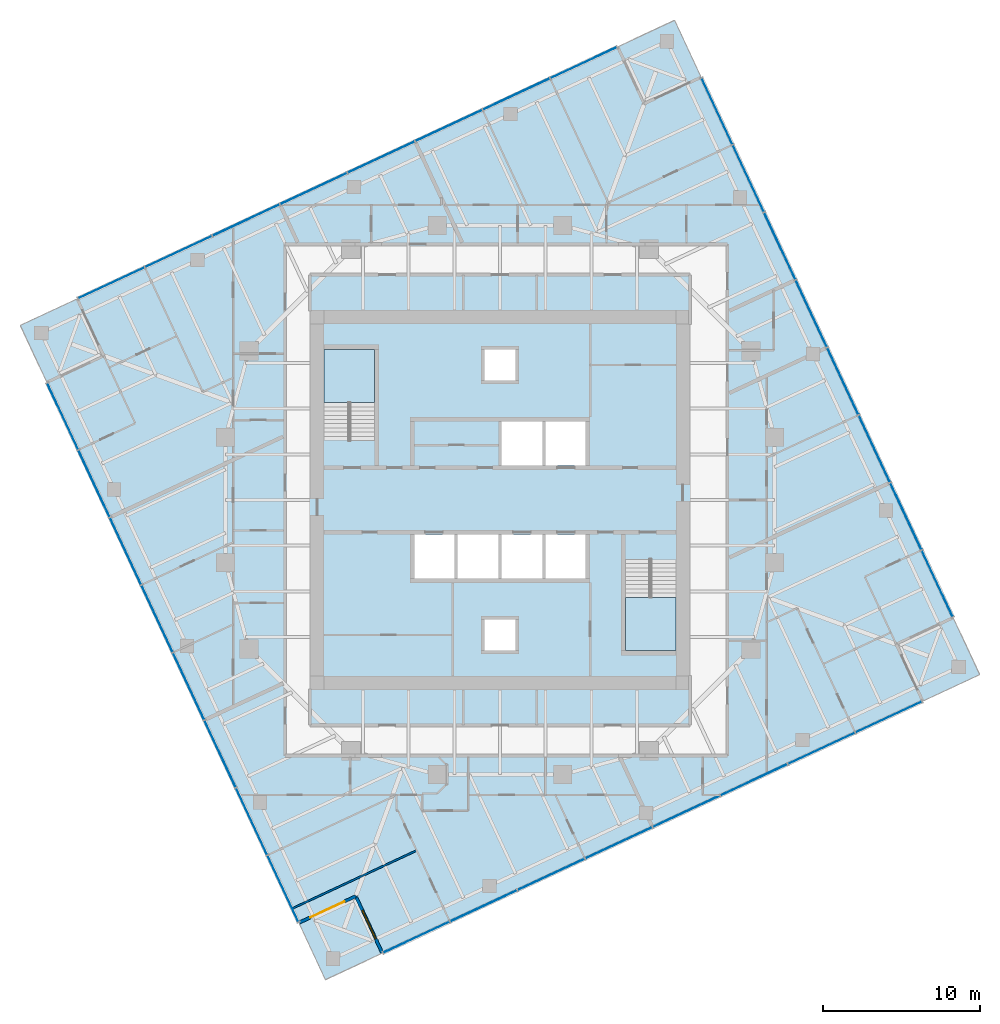
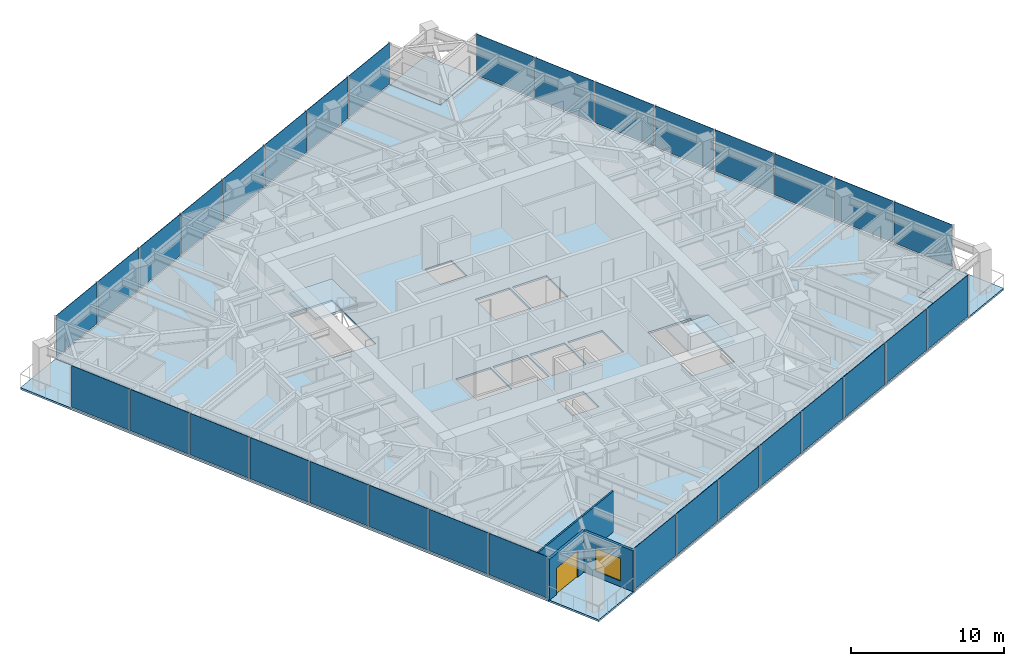
# One storey, part 6 of 13: 32 plates, 7 slabs, 3 walls, 1 door, 1 window, 2 openings, 6 elements without a shape of their own.
"""IFC4 building model written with IfcOpenShell, lengths in metres."""

import ifcopenshell
import ifcopenshell.guid

model = None  # the IFC model being written
_history = None  # IfcOwnerHistory: only IFC2X3 demands one
_inside = {}  # id of a spatial element -> (the spatial element, [elements in it])
_under = {}  # id of a project, library or spatial element -> (it, [spatial elements below it])
_declared = {}  # id of a project -> (the project, [libraries it declares])
_typed = {}  # id of a type object -> (the type object, [elements of that type])
_made_of = {}  # id of a material, layer set ... -> (it, [elements and type objects made of it])


def new_model(schema):
    """Start an empty IFC model of exactly this schema.

    Asked for "IFC4X3", IfcOpenShell would pick the latest addendum, in which some entities
    have other attributes; the version numbers below select the first issue.
    IFC2X3 requires an IfcOwnerHistory on every rooted entity: one is made here for all.
    """
    global model, _history
    if schema == "IFC4X3":
        model = ifcopenshell.file(schema_version=(4, 3, 0, 0))
    else:
        model = ifcopenshell.file(schema=schema)
    _inside.clear()
    _under.clear()
    _declared.clear()
    _typed.clear()
    _made_of.clear()
    _history = None
    if model.schema == "IFC2X3":
        org = make("IfcOrganization", Name="unknown")
        user = make(
            "IfcPersonAndOrganization",
            ThePerson=make("IfcPerson", FamilyName="unknown"),
            TheOrganization=org,
        )
        app = make(
            "IfcApplication",
            ApplicationDeveloper=org,
            Version="unknown",
            ApplicationFullName="unknown",
            ApplicationIdentifier="unknown",
        )
        _history = make(
            "IfcOwnerHistory",
            OwningUser=user,
            OwningApplication=app,
            ChangeAction="ADDED",
            CreationDate=0,
        )
    return model


def make(cls, **values):
    """One entity of the class cls with the attributes given. An attribute that is None is left unset."""
    return model.create_entity(
        cls, **{name: value for name, value in values.items() if value is not None}
    )


def rooted(cls, **values):
    """An entity with a GlobalId (a new one), such as an element, a storey or a relation."""
    return make(cls, GlobalId=ifcopenshell.guid.new(), OwnerHistory=_history, **values)


def si_unit(unit_type, name, prefix=None):
    """IfcSIUnit, for example si_unit("LENGTHUNIT", "METRE", prefix="MILLI")."""
    return make("IfcSIUnit", UnitType=unit_type, Prefix=prefix, Name=name)


def assignment(units):
    """IfcUnitAssignment: the units of a project."""
    return None if units is None else make("IfcUnitAssignment", Units=units)


def point(xyz):
    """IfcCartesianPoint."""
    return None if xyz is None else make("IfcCartesianPoint", Coordinates=xyz)


def direction(xyz):
    """IfcDirection."""
    return None if xyz is None else make("IfcDirection", DirectionRatios=xyz)


def frame(location, z_axis=None, x_axis=None):
    """IfcAxis2Placement3D, a coordinate frame: its origin and axes. An axis left out is left unset."""
    return make(
        "IfcAxis2Placement3D",
        Location=point(location),
        Axis=direction(z_axis),
        RefDirection=direction(x_axis),
    )


def frame_2d(location, x_axis=None):
    """IfcAxis2Placement2D, a coordinate frame in the plane: its origin and x axis."""
    return make(
        "IfcAxis2Placement2D", Location=point(location), RefDirection=direction(x_axis)
    )


def origin():
    """The frame at (0, 0, 0) with its axes left unset."""
    return frame((0.0, 0.0, 0.0))


def origin_2d():
    """The frame at (0, 0) in the plane with its x axis left unset."""
    return frame_2d((0.0, 0.0))


def place(relative_to, where):
    """IfcLocalPlacement: puts the frame where relative to a parent placement (None: the world)."""
    return make(
        "IfcLocalPlacement", PlacementRelTo=relative_to, RelativePlacement=where
    )


def context(
    kind, dimensions, precision=None, world=None, true_north=None, identifier=None
):
    """IfcGeometricRepresentationContext, for example the 3D "Model" context."""
    return make(
        "IfcGeometricRepresentationContext",
        ContextIdentifier=identifier,
        ContextType=kind,
        CoordinateSpaceDimension=dimensions,
        Precision=precision,
        WorldCoordinateSystem=world,
        TrueNorth=true_north,
    )


def subcontext(parent, identifier, kind, view, scale=None):
    """IfcGeometricRepresentationSubContext, for example "Body" below "Model"."""
    return make(
        "IfcGeometricRepresentationSubContext",
        ContextIdentifier=identifier,
        ContextType=kind,
        ParentContext=parent,
        TargetScale=scale,
        TargetView=view,
    )


def project(units=None, contexts=None):
    """IfcProject with its units and contexts."""
    return rooted(
        "IfcProject",
        Name="project",
        RepresentationContexts=contexts,
        UnitsInContext=assignment(units),
    )


def spatial(cls, under=None, at=None, **own):
    """A site, building, storey or space (cls), placed at a placement, below another one or the project."""
    s = rooted(cls, ObjectPlacement=at, **own)
    if under is not None:
        _under.setdefault(under.id(), (under, []))[1].append(s)
    return s


def polyline(points):
    """IfcPolyline through the points."""
    return make("IfcPolyline", Points=[point(p) for p in points])


def profile(cls, at=None, kind="AREA", **sizes):
    """A parametric profile (cls). Its sizes go by their IFC names, for example OverallWidth=200.0."""
    return make(cls, ProfileType=kind, Position=at, **sizes)


def rectangle(**sizes):
    """IfcRectangleProfileDef."""
    return profile("IfcRectangleProfileDef", **sizes)


def outline(outer, holes=None, kind="AREA"):
    """IfcArbitraryClosedProfileDef: a profile drawn as a closed curve; with holes, ...WithVoids."""
    if holes is None:
        return make("IfcArbitraryClosedProfileDef", ProfileType=kind, OuterCurve=outer)
    return make(
        "IfcArbitraryProfileDefWithVoids",
        ProfileType=kind,
        OuterCurve=outer,
        InnerCurves=holes,
    )


def extrude(swept, where, along, depth):
    """IfcExtrudedAreaSolid: the profile swept, set in the frame where, extruded along a direction by depth."""
    return make(
        "IfcExtrudedAreaSolid",
        SweptArea=swept,
        Position=where,
        ExtrudedDirection=direction(along),
        Depth=depth,
    )


def shape(context_of_items, identifier, shape_type, items):
    """IfcShapeRepresentation: the items that make up one representation, for example the "Body"."""
    return make(
        "IfcShapeRepresentation",
        ContextOfItems=context_of_items,
        RepresentationIdentifier=identifier,
        RepresentationType=shape_type,
        Items=items,
    )


def material(Name=None, Category=None):
    """IfcMaterial."""
    return make("IfcMaterial", Name=Name, Category=Category)


def layer(
    of_material, thickness, ventilated=None, Name=None, Category=None, Priority=None
):
    """IfcMaterialLayer: one layer of a wall or slab, of a material (None: an air gap)."""
    return make(
        "IfcMaterialLayer",
        Material=of_material,
        LayerThickness=thickness,
        IsVentilated=ventilated,
        Name=Name,
        Category=Category,
        Priority=Priority,
    )


def layer_set(layers, Name=None):
    """IfcMaterialLayerSet."""
    return make("IfcMaterialLayerSet", MaterialLayers=layers, LayerSetName=Name)


def made_of(thing, what):
    """Note that an element or type object is made of a material, layer set ...; save() writes the relation."""
    if what is not None:
        _made_of.setdefault(what.id(), (what, []))[1].append(thing)
    return thing


def type_object(cls, material=None, **own):
    """A type object (cls), such as IfcWallType, which elements share."""
    return made_of(rooted(cls, **own), material)


def element(
    cls,
    number,
    at=None,
    inside=None,
    cuts=None,
    type_object=None,
    material=None,
    context=None,
    identifier="Body",
    shape_type=None,
    held_by="IfcProductDefinitionShape",
    body=None,
    shapes=None,
    **own,
):
    """One element of the class cls, such as IfcWall. Its Tag is "e" and its number.

    at: its placement. inside: the storey or other place that contains it. cuts: it is an
    opening in that element (IfcRelVoidsElement). A single representation is given by context,
    identifier, shape_type and body (its items); several are given by shapes. held_by: the class
    of the entity that holds the representations. save() writes the other relations.
    """
    e = rooted(cls, Tag="e%d" % number, ObjectPlacement=at, **own)
    if body is not None:
        shapes = [shape(context, identifier, shape_type, body)]
    if shapes is not None:
        e.Representation = make(held_by, Representations=shapes)
    if inside is not None:
        _inside.setdefault(inside.id(), (inside, []))[1].append(e)
    if cuts is not None:
        rooted(
            "IfcRelVoidsElement", RelatingBuildingElement=cuts, RelatedOpeningElement=e
        )
    if type_object is not None:
        _typed.setdefault(type_object.id(), (type_object, []))[1].append(e)
    return made_of(e, material)


def fill(opening, filler):
    """IfcRelFillsElement: the door or window that sits in an opening."""
    return rooted(
        "IfcRelFillsElement",
        RelatingOpeningElement=opening,
        RelatedBuildingElement=filler,
    )


def aggregate(whole, parts):
    """IfcRelAggregates: a whole, such as a stair, and the parts it consists of."""
    return rooted("IfcRelAggregates", RelatingObject=whole, RelatedObjects=parts)


def save(model, path):
    """Write the relations noted so far, then the file.

    IfcRelAggregates (storeys below a building ...), IfcRelContainedInSpatialStructure (elements
    in a storey), IfcRelDefinesByType, IfcRelAssociatesMaterial and IfcRelDeclares: one each for
    every whole, place, type object, material and project.
    """
    for whole, parts in _under.values():
        aggregate(whole, parts)
    for where, things in _inside.values():
        rooted(
            "IfcRelContainedInSpatialStructure",
            RelatedElements=things,
            RelatingStructure=where,
        )
    for kind, things in _typed.values():
        rooted("IfcRelDefinesByType", RelatedObjects=things, RelatingType=kind)
    for what, things in _made_of.values():
        rooted("IfcRelAssociatesMaterial", RelatedObjects=things, RelatingMaterial=what)
    for by, libraries in _declared.values():
        rooted("IfcRelDeclares", RelatingContext=by, RelatedDefinitions=libraries)
    model.write(path)


model = new_model("IFC4")

# Units and contexts
model_context = context("Model", 3, precision=1e-05, world=origin(), true_north=direction((0.0, 1.0)))
body_context = subcontext(model_context, "Body", "Model", "MODEL_VIEW")
ifc_project = project(units=[si_unit("LENGTHUNIT", "METRE"), si_unit("AREAUNIT", "SQUARE_METRE"), si_unit("VOLUMEUNIT", "CUBIC_METRE"), si_unit("PLANEANGLEUNIT", "RADIAN"), si_unit("MASSUNIT", "GRAM", prefix="KILO")], contexts=[model_context])

# Site, building, storey
site_placement = place(None, origin())
site = spatial("IfcSite", under=ifc_project, at=site_placement, CompositionType="ELEMENT")
building_placement = place(site_placement, origin())
building = spatial("IfcBuilding", under=site, at=building_placement, Name="Torsade Residences", CompositionType="ELEMENT")
storey_placement = place(building_placement, frame((0.0, 0.0, 179.39990234375)))
storey = spatial("IfcBuildingStorey", under=building, at=storey_placement, Name="L49", CompositionType="ELEMENT", Elevation=179.39990234375)

# Slab
ifc_material_1 = material(Name="Concrete 40 MPa", Category="concrete")
ifc_layer_1 = layer(ifc_material_1, 0.14990234375)
ifc_layer_set_1 = layer_set([ifc_layer_1], Name="Concrete 40 MPa")
slab_type_1 = type_object("IfcSlabType", Name="COMPOSITE FLOOR SLAB 150", PredefinedType="FLOOR", material=ifc_layer_set_1)
slab_1_placement = place(storey_placement, frame((0.0, 0.0, -0.14990234375)))
element("IfcSlab", 1, at=slab_1_placement, inside=storey, type_object=slab_type_1, Name="Floor slab L49", PredefinedType="FLOOR", context=body_context, shape_type="SweptSolid", body=[
    extrude(outline(polyline([(32.50048828125, 1.125244140625), (66.940185546875, 17.1845703125), (65.24951171875, 20.809814453125), (68.874755859375, 22.50048828125), (52.8154296875, 56.940185546875), (49.190185546875, 55.24951171875), (47.49951171875, 58.874755859375), (13.059814453125, 42.8154296875), (14.75048828125, 39.190185546875), (11.125244140625, 37.49951171875), (27.1845703125, 3.059814453125), (30.809814453125, 4.75048828125), (32.50048828125, 1.125244140625)]), holes=[polyline([(51.199951171875, 26.1201171875), (48.0, 26.1201171875), (48.0, 20.39990234375), (51.199951171875, 20.39990234375), (51.199951171875, 26.1201171875)]), polyline([(45.5, 27.800048828125), (42.89990234375, 27.800048828125), (42.89990234375, 25.0), (45.5, 25.0), (45.5, 27.800048828125)]), polyline([(45.5, 35.0), (42.89990234375, 35.0), (42.89990234375, 32.199951171875), (45.5, 32.199951171875), (45.5, 35.0)]), polyline([(42.699951171875, 25.0), (42.699951171875, 27.800048828125), (40.10009765625, 27.800048828125), (40.10009765625, 25.0), (42.699951171875, 25.0)]), polyline([(42.699951171875, 35.0), (40.10009765625, 35.0), (40.10009765625, 32.199951171875), (42.699951171875, 32.199951171875), (42.699951171875, 35.0)]), polyline([(41.0, 22.39990234375), (39.0, 22.39990234375), (39.0, 20.39990234375), (41.0, 20.39990234375), (41.0, 22.39990234375)]), polyline([(41.0, 37.60009765625), (41.0, 39.60009765625), (39.0, 39.60009765625), (39.0, 37.60009765625), (41.0, 37.60009765625)]), polyline([(39.89990234375, 25.0), (39.89990234375, 27.800048828125), (37.300048828125, 27.800048828125), (37.300048828125, 25.0), (39.89990234375, 25.0)]), polyline([(37.10009765625, 27.800048828125), (34.5, 27.800048828125), (34.5, 25.0), (37.10009765625, 25.0), (37.10009765625, 27.800048828125)]), polyline([(32.0, 33.8798828125), (32.0, 39.60009765625), (28.800048828125, 39.60009765625), (28.800048828125, 33.8798828125), (32.0, 33.8798828125)])]), origin(), (0.0, 0.0, 1.0), 0.14990234375),
])

# Curtain wall, plates
ifc_material_2 = material(Name="Aluminium and glass", Category="aluminium")
curtain_wall_type = type_object("IfcCurtainWallType", Name="FRITTED GLASS CURTAIN WALL MID ZONE", PredefinedType="NOTDEFINED", material=ifc_material_2)
curtain_wall_1_placement = place(storey_placement, origin())
curtain_wall_1 = element("IfcCurtainWall", 2, at=curtain_wall_1_placement, inside=storey, type_object=curtain_wall_type, Name="Curtain wall L49 face 1", PredefinedType="NOTDEFINED")
ifc_material_3 = material(Name="Laminated glass", Category="glass")
ifc_layer_2 = layer(ifc_material_3, 0.031982421875)
ifc_layer_set_2 = layer_set([ifc_layer_2], Name="Laminated glass")
plate_type_1 = type_object("IfcPlateType", Name="FRITTED GLASS PANEL", PredefinedType="CURTAIN_PANEL", material=ifc_layer_set_2)
plate_1_placement = place(storey_placement, frame((34.6708984375, 2.137451171875, 0.110107421875), z_axis=(0.0, 0.0, 1.0), x_axis=(0.906307786926, 0.422618261978, 0.0)))
plate_1 = element("IfcPlate", 3, at=plate_1_placement, type_object=plate_type_1, Name="Panel 1", PredefinedType="CURTAIN_PANEL", context=body_context, shape_type="SweptSolid", body=[
    extrude(rectangle(XDim=4.6298828125, YDim=0.031982421875, at=origin_2d()), origin(), (0.0, 0.0, 1.0), 3.2900390625),
])
plate_2_placement = place(storey_placement, frame((43.2626953125, 6.143798828125, 0.110107421875), z_axis=(0.0, 0.0, 1.0), x_axis=(0.906307786926, 0.422618261978, 0.0)))
plate_2 = element("IfcPlate", 4, at=plate_2_placement, type_object=plate_type_1, Name="Panel 3", PredefinedType="CURTAIN_PANEL", context=body_context, shape_type="SweptSolid", body=[
    extrude(rectangle(XDim=4.669921875, YDim=0.031982421875, at=origin_2d()), origin(), (0.0, 0.0, 1.0), 3.2900390625),
])
plate_3_placement = place(storey_placement, frame((47.567626953125, 8.151123046875, 0.110107421875), z_axis=(0.0, 0.0, 1.0), x_axis=(0.906307786926, 0.422618261978, 0.0)))
plate_3 = element("IfcPlate", 5, at=plate_3_placement, type_object=plate_type_1, Name="Panel 4", PredefinedType="CURTAIN_PANEL", context=body_context, shape_type="SweptSolid", body=[
    extrude(rectangle(XDim=4.669921875, YDim=0.031982421875, at=origin_2d()), origin(), (0.0, 0.0, 1.0), 3.2900390625),
])
plate_4_placement = place(storey_placement, frame((51.872802734375, 10.15869140625, 0.110107421875), z_axis=(0.0, 0.0, 1.0), x_axis=(0.906307786926, 0.422618261978, 0.0)))
plate_4 = element("IfcPlate", 6, at=plate_4_placement, type_object=plate_type_1, Name="Panel 5", PredefinedType="CURTAIN_PANEL", context=body_context, shape_type="SweptSolid", body=[
    extrude(rectangle(XDim=4.669921875, YDim=0.031982421875, at=origin_2d()), origin(), (0.0, 0.0, 1.0), 3.2900390625),
])
plate_5_placement = place(storey_placement, frame((60.482666015625, 14.173583984375, 0.110107421875), z_axis=(0.0, 0.0, 1.0), x_axis=(0.906307786926, 0.422618261978, 0.0)))
plate_5 = element("IfcPlate", 7, at=plate_5_placement, type_object=plate_type_1, Name="Panel 7", PredefinedType="CURTAIN_PANEL", context=body_context, shape_type="SweptSolid", body=[
    extrude(rectangle(XDim=4.669921875, YDim=0.031982421875, at=origin_2d()), origin(), (0.0, 0.0, 1.0), 3.2900390625),
])
plate_6_placement = place(storey_placement, frame((64.76953125, 16.172607421875, 0.110107421875), z_axis=(0.0, 0.0, 1.0), x_axis=(0.906307786926, 0.422618261978, 0.0)))
plate_6 = element("IfcPlate", 8, at=plate_6_placement, type_object=plate_type_1, Name="Panel 8", PredefinedType="CURTAIN_PANEL", context=body_context, shape_type="SweptSolid", body=[
    extrude(rectangle(XDim=4.6298828125, YDim=0.031982421875, at=origin_2d()), origin(), (0.0, 0.0, 1.0), 3.2900390625),
])

curtain_wall_2_placement = place(storey_placement, origin())
curtain_wall_2 = element("IfcCurtainWall", 9, at=curtain_wall_2_placement, inside=storey, type_object=curtain_wall_type, Name="Curtain wall L49 face 4", PredefinedType="NOTDEFINED")
plate_7_placement = place(storey_placement, frame((67.862548828125, 24.6708984375, 0.110107421875), z_axis=(0.0, 0.0, 1.0), x_axis=(-0.422618261978, 0.906307786926, 0.0)))
plate_7 = element("IfcPlate", 10, at=plate_7_placement, type_object=plate_type_1, Name="Panel 1", PredefinedType="CURTAIN_PANEL", context=body_context, shape_type="SweptSolid", body=[
    extrude(rectangle(XDim=4.6298828125, YDim=0.031982421875, at=origin_2d()), origin(), (0.0, 0.0, 1.0), 3.2900390625),
])
plate_8_placement = place(storey_placement, frame((63.856201171875, 33.2626953125, 0.110107421875), z_axis=(0.0, 0.0, 1.0), x_axis=(-0.422618261978, 0.906307786926, 0.0)))
plate_8 = element("IfcPlate", 11, at=plate_8_placement, type_object=plate_type_1, Name="Panel 3", PredefinedType="CURTAIN_PANEL", context=body_context, shape_type="SweptSolid", body=[
    extrude(rectangle(XDim=4.669921875, YDim=0.031982421875, at=origin_2d()), origin(), (0.0, 0.0, 1.0), 3.2900390625),
])
plate_9_placement = place(storey_placement, frame((61.848876953125, 37.567626953125, 0.110107421875), z_axis=(0.0, 0.0, 1.0), x_axis=(-0.422618261978, 0.906307786926, 0.0)))
plate_9 = element("IfcPlate", 12, at=plate_9_placement, type_object=plate_type_1, Name="Panel 4", PredefinedType="CURTAIN_PANEL", context=body_context, shape_type="SweptSolid", body=[
    extrude(rectangle(XDim=4.669921875, YDim=0.031982421875, at=origin_2d()), origin(), (0.0, 0.0, 1.0), 3.2900390625),
])
plate_10_placement = place(storey_placement, frame((59.84130859375, 41.872802734375, 0.110107421875), z_axis=(0.0, 0.0, 1.0), x_axis=(-0.422618261978, 0.906307786926, 0.0)))
plate_10 = element("IfcPlate", 13, at=plate_10_placement, type_object=plate_type_1, Name="Panel 5", PredefinedType="CURTAIN_PANEL", context=body_context, shape_type="SweptSolid", body=[
    extrude(rectangle(XDim=4.669921875, YDim=0.031982421875, at=origin_2d()), origin(), (0.0, 0.0, 1.0), 3.2900390625),
])
plate_11_placement = place(storey_placement, frame((55.826416015625, 50.482666015625, 0.110107421875), z_axis=(0.0, 0.0, 1.0), x_axis=(-0.422618261978, 0.906307786926, 0.0)))
plate_11 = element("IfcPlate", 14, at=plate_11_placement, type_object=plate_type_1, Name="Panel 7", PredefinedType="CURTAIN_PANEL", context=body_context, shape_type="SweptSolid", body=[
    extrude(rectangle(XDim=4.669921875, YDim=0.031982421875, at=origin_2d()), origin(), (0.0, 0.0, 1.0), 3.2900390625),
])
plate_12_placement = place(storey_placement, frame((53.827392578125, 54.76953125, 0.110107421875), z_axis=(0.0, 0.0, 1.0), x_axis=(-0.422618261978, 0.906307786926, 0.0)))
plate_12 = element("IfcPlate", 15, at=plate_12_placement, type_object=plate_type_1, Name="Panel 8", PredefinedType="CURTAIN_PANEL", context=body_context, shape_type="SweptSolid", body=[
    extrude(rectangle(XDim=4.6298828125, YDim=0.031982421875, at=origin_2d()), origin(), (0.0, 0.0, 1.0), 3.2900390625),
])

curtain_wall_3_placement = place(storey_placement, origin())
curtain_wall_3 = element("IfcCurtainWall", 16, at=curtain_wall_3_placement, inside=storey, type_object=curtain_wall_type, Name="Curtain wall L49 face 7", PredefinedType="NOTDEFINED")
plate_13_placement = place(storey_placement, frame((45.3291015625, 57.862548828125, 0.110107421875), z_axis=(0.0, 0.0, 1.0), x_axis=(-0.906307786926, -0.422618261978, 0.0)))
plate_13 = element("IfcPlate", 17, at=plate_13_placement, type_object=plate_type_1, Name="Panel 1", PredefinedType="CURTAIN_PANEL", context=body_context, shape_type="SweptSolid", body=[
    extrude(rectangle(XDim=4.6298828125, YDim=0.031982421875, at=origin_2d()), origin(), (0.0, 0.0, 1.0), 3.2900390625),
])
plate_14_placement = place(storey_placement, frame((36.7373046875, 53.856201171875, 0.110107421875), z_axis=(0.0, 0.0, 1.0), x_axis=(-0.906307786926, -0.422618261978, 0.0)))
plate_14 = element("IfcPlate", 18, at=plate_14_placement, type_object=plate_type_1, Name="Panel 3", PredefinedType="CURTAIN_PANEL", context=body_context, shape_type="SweptSolid", body=[
    extrude(rectangle(XDim=4.669921875, YDim=0.031982421875, at=origin_2d()), origin(), (0.0, 0.0, 1.0), 3.2900390625),
])
plate_15_placement = place(storey_placement, frame((32.432373046875, 51.848876953125, 0.110107421875), z_axis=(0.0, 0.0, 1.0), x_axis=(-0.906307786926, -0.422618261978, 0.0)))
plate_15 = element("IfcPlate", 19, at=plate_15_placement, type_object=plate_type_1, Name="Panel 4", PredefinedType="CURTAIN_PANEL", context=body_context, shape_type="SweptSolid", body=[
    extrude(rectangle(XDim=4.669921875, YDim=0.031982421875, at=origin_2d()), origin(), (0.0, 0.0, 1.0), 3.2900390625),
])
plate_16_placement = place(storey_placement, frame((28.127197265625, 49.84130859375, 0.110107421875), z_axis=(0.0, 0.0, 1.0), x_axis=(-0.906307786926, -0.422618261978, 0.0)))
plate_16 = element("IfcPlate", 20, at=plate_16_placement, type_object=plate_type_1, Name="Panel 5", PredefinedType="CURTAIN_PANEL", context=body_context, shape_type="SweptSolid", body=[
    extrude(rectangle(XDim=4.669921875, YDim=0.031982421875, at=origin_2d()), origin(), (0.0, 0.0, 1.0), 3.2900390625),
])
plate_17_placement = place(storey_placement, frame((19.517333984375, 45.826416015625, 0.110107421875), z_axis=(0.0, 0.0, 1.0), x_axis=(-0.906307786926, -0.422618261978, 0.0)))
plate_17 = element("IfcPlate", 21, at=plate_17_placement, type_object=plate_type_1, Name="Panel 7", PredefinedType="CURTAIN_PANEL", context=body_context, shape_type="SweptSolid", body=[
    extrude(rectangle(XDim=4.669921875, YDim=0.031982421875, at=origin_2d()), origin(), (0.0, 0.0, 1.0), 3.2900390625),
])
plate_18_placement = place(storey_placement, frame((15.23046875, 43.827392578125, 0.110107421875), z_axis=(0.0, 0.0, 1.0), x_axis=(-0.906307786926, -0.422618261978, 0.0)))
plate_18 = element("IfcPlate", 22, at=plate_18_placement, type_object=plate_type_1, Name="Panel 8", PredefinedType="CURTAIN_PANEL", context=body_context, shape_type="SweptSolid", body=[
    extrude(rectangle(XDim=4.6298828125, YDim=0.031982421875, at=origin_2d()), origin(), (0.0, 0.0, 1.0), 3.2900390625),
])

curtain_wall_4_placement = place(storey_placement, origin())
curtain_wall_4 = element("IfcCurtainWall", 23, at=curtain_wall_4_placement, inside=storey, type_object=curtain_wall_type, Name="Curtain wall L49 face 10", PredefinedType="NOTDEFINED")
plate_19_placement = place(storey_placement, frame((12.137451171875, 35.3291015625, 0.110107421875), z_axis=(0.0, 0.0, 1.0), x_axis=(0.422618261978, -0.906307786926, 0.0)))
plate_19 = element("IfcPlate", 24, at=plate_19_placement, type_object=plate_type_1, Name="Panel 1", PredefinedType="CURTAIN_PANEL", context=body_context, shape_type="SweptSolid", body=[
    extrude(rectangle(XDim=4.6298828125, YDim=0.031982421875, at=origin_2d()), origin(), (0.0, 0.0, 1.0), 3.2900390625),
])
plate_20_placement = place(storey_placement, frame((16.143798828125, 26.7373046875, 0.110107421875), z_axis=(0.0, 0.0, 1.0), x_axis=(0.422618261978, -0.906307786926, 0.0)))
plate_20 = element("IfcPlate", 25, at=plate_20_placement, type_object=plate_type_1, Name="Panel 3", PredefinedType="CURTAIN_PANEL", context=body_context, shape_type="SweptSolid", body=[
    extrude(rectangle(XDim=4.669921875, YDim=0.031982421875, at=origin_2d()), origin(), (0.0, 0.0, 1.0), 3.2900390625),
])
plate_21_placement = place(storey_placement, frame((18.151123046875, 22.432373046875, 0.110107421875), z_axis=(0.0, 0.0, 1.0), x_axis=(0.422618261978, -0.906307786926, 0.0)))
plate_21 = element("IfcPlate", 26, at=plate_21_placement, type_object=plate_type_1, Name="Panel 4", PredefinedType="CURTAIN_PANEL", context=body_context, shape_type="SweptSolid", body=[
    extrude(rectangle(XDim=4.669921875, YDim=0.031982421875, at=origin_2d()), origin(), (0.0, 0.0, 1.0), 3.2900390625),
])
plate_22_placement = place(storey_placement, frame((20.15869140625, 18.127197265625, 0.110107421875), z_axis=(0.0, 0.0, 1.0), x_axis=(0.422618261978, -0.906307786926, 0.0)))
plate_22 = element("IfcPlate", 27, at=plate_22_placement, type_object=plate_type_1, Name="Panel 5", PredefinedType="CURTAIN_PANEL", context=body_context, shape_type="SweptSolid", body=[
    extrude(rectangle(XDim=4.669921875, YDim=0.031982421875, at=origin_2d()), origin(), (0.0, 0.0, 1.0), 3.2900390625),
])
plate_23_placement = place(storey_placement, frame((24.173583984375, 9.517333984375, 0.110107421875), z_axis=(0.0, 0.0, 1.0), x_axis=(0.422618261978, -0.906307786926, 0.0)))
plate_23 = element("IfcPlate", 28, at=plate_23_placement, type_object=plate_type_1, Name="Panel 7", PredefinedType="CURTAIN_PANEL", context=body_context, shape_type="SweptSolid", body=[
    extrude(rectangle(XDim=4.669921875, YDim=0.031982421875, at=origin_2d()), origin(), (0.0, 0.0, 1.0), 3.2900390625),
])
plate_24_placement = place(storey_placement, frame((26.172607421875, 5.23046875, 0.110107421875), z_axis=(0.0, 0.0, 1.0), x_axis=(0.422618261978, -0.906307786926, 0.0)))
plate_24 = element("IfcPlate", 29, at=plate_24_placement, type_object=plate_type_1, Name="Panel 8", PredefinedType="CURTAIN_PANEL", context=body_context, shape_type="SweptSolid", body=[
    extrude(rectangle(XDim=4.6298828125, YDim=0.031982421875, at=origin_2d()), origin(), (0.0, 0.0, 1.0), 3.2900390625),
])

# Plate
ifc_material_4 = material(Name="Laminated glass", Category="glass")
ifc_layer_3 = layer(ifc_material_4, 0.0400390625)
ifc_layer_set_3 = layer_set([ifc_layer_3], Name="Laminated glass")
plate_type_2 = type_object("IfcPlateType", Name="OPERABLE VENT PANEL", PredefinedType="CURTAIN_PANEL", material=ifc_layer_set_3)
plate_25_placement = place(storey_placement, frame((38.957763671875, 4.13623046875, 0.110107421875), z_axis=(0.0, 0.0, 1.0), x_axis=(0.906307786926, 0.422618261978, 0.0)))
plate_25 = element("IfcPlate", 30, at=plate_25_placement, type_object=plate_type_2, Name="Panel 2", PredefinedType="CURTAIN_PANEL", context=body_context, shape_type="SweptSolid", body=[
    extrude(rectangle(XDim=4.669921875, YDim=0.0400390625, at=origin_2d()), origin(), (0.0, 0.0, 1.0), 3.2900390625),
])

plate_26_placement = place(storey_placement, frame((56.177734375, 12.166015625, 0.110107421875), z_axis=(0.0, 0.0, 1.0), x_axis=(0.906307786926, 0.422618261978, 0.0)))
plate_26 = element("IfcPlate", 31, at=plate_26_placement, type_object=plate_type_2, Name="Panel 6", PredefinedType="CURTAIN_PANEL", context=body_context, shape_type="SweptSolid", body=[
    extrude(rectangle(XDim=4.669921875, YDim=0.0400390625, at=origin_2d()), origin(), (0.0, 0.0, 1.0), 3.2900390625),
])

aggregate(curtain_wall_1, [plate_1, plate_25, plate_2, plate_3, plate_4, plate_26, plate_5, plate_6])

plate_27_placement = place(storey_placement, frame((65.86376953125, 28.957763671875, 0.110107421875), z_axis=(0.0, 0.0, 1.0), x_axis=(-0.422618261978, 0.906307786926, 0.0)))
plate_27 = element("IfcPlate", 32, at=plate_27_placement, type_object=plate_type_2, Name="Panel 2", PredefinedType="CURTAIN_PANEL", context=body_context, shape_type="SweptSolid", body=[
    extrude(rectangle(XDim=4.669921875, YDim=0.0400390625, at=origin_2d()), origin(), (0.0, 0.0, 1.0), 3.2900390625),
])

plate_28_placement = place(storey_placement, frame((57.833984375, 46.177734375, 0.110107421875), z_axis=(0.0, 0.0, 1.0), x_axis=(-0.422618261978, 0.906307786926, 0.0)))
plate_28 = element("IfcPlate", 33, at=plate_28_placement, type_object=plate_type_2, Name="Panel 6", PredefinedType="CURTAIN_PANEL", context=body_context, shape_type="SweptSolid", body=[
    extrude(rectangle(XDim=4.669921875, YDim=0.0400390625, at=origin_2d()), origin(), (0.0, 0.0, 1.0), 3.2900390625),
])

aggregate(curtain_wall_2, [plate_7, plate_27, plate_8, plate_9, plate_10, plate_28, plate_11, plate_12])

plate_29_placement = place(storey_placement, frame((41.042236328125, 55.86376953125, 0.110107421875), z_axis=(0.0, 0.0, 1.0), x_axis=(-0.906307786926, -0.422618261978, 0.0)))
plate_29 = element("IfcPlate", 34, at=plate_29_placement, type_object=plate_type_2, Name="Panel 2", PredefinedType="CURTAIN_PANEL", context=body_context, shape_type="SweptSolid", body=[
    extrude(rectangle(XDim=4.669921875, YDim=0.0400390625, at=origin_2d()), origin(), (0.0, 0.0, 1.0), 3.2900390625),
])

plate_30_placement = place(storey_placement, frame((23.822265625, 47.833984375, 0.110107421875), z_axis=(0.0, 0.0, 1.0), x_axis=(-0.906307786926, -0.422618261978, 0.0)))
plate_30 = element("IfcPlate", 35, at=plate_30_placement, type_object=plate_type_2, Name="Panel 6", PredefinedType="CURTAIN_PANEL", context=body_context, shape_type="SweptSolid", body=[
    extrude(rectangle(XDim=4.669921875, YDim=0.0400390625, at=origin_2d()), origin(), (0.0, 0.0, 1.0), 3.2900390625),
])

aggregate(curtain_wall_3, [plate_13, plate_29, plate_14, plate_15, plate_16, plate_30, plate_17, plate_18])

plate_31_placement = place(storey_placement, frame((14.13623046875, 31.042236328125, 0.110107421875), z_axis=(0.0, 0.0, 1.0), x_axis=(0.422618261978, -0.906307786926, 0.0)))
plate_31 = element("IfcPlate", 36, at=plate_31_placement, type_object=plate_type_2, Name="Panel 2", PredefinedType="CURTAIN_PANEL", context=body_context, shape_type="SweptSolid", body=[
    extrude(rectangle(XDim=4.669921875, YDim=0.0400390625, at=origin_2d()), origin(), (0.0, 0.0, 1.0), 3.2900390625),
])

plate_32_placement = place(storey_placement, frame((22.166015625, 13.822265625, 0.110107421875), z_axis=(0.0, 0.0, 1.0), x_axis=(0.422618261978, -0.906307786926, 0.0)))
plate_32 = element("IfcPlate", 37, at=plate_32_placement, type_object=plate_type_2, Name="Panel 6", PredefinedType="CURTAIN_PANEL", context=body_context, shape_type="SweptSolid", body=[
    extrude(rectangle(XDim=4.669921875, YDim=0.0400390625, at=origin_2d()), origin(), (0.0, 0.0, 1.0), 3.2900390625),
])

aggregate(curtain_wall_4, [plate_19, plate_31, plate_20, plate_21, plate_22, plate_32, plate_23, plate_24])

# Stair, slab
ifc_material_5 = material(Name="Precast concrete 40 MPa", Category="concrete")
stair_type = type_object("IfcStairType", Name="HALF-TURN FIRE STAIR 1500x3400", PredefinedType="HALF_TURN_STAIR", material=ifc_material_5)
stair_1_placement = place(storey_placement, origin())
stair_1 = element("IfcStair", 38, at=stair_1_placement, inside=storey, type_object=stair_type, Name="Stair ST1 L49", PredefinedType="HALF_TURN_STAIR")
ifc_material_6 = material(Name="Precast concrete 40 MPa", Category="concrete")
ifc_layer_4 = layer(ifc_material_6, 0.179931640625)
ifc_layer_set_4 = layer_set([ifc_layer_4], Name="Precast concrete 40 MPa")
slab_type_2 = type_object("IfcSlabType", Name="PRECAST STAIR LANDING 180", PredefinedType="LANDING", material=ifc_layer_set_4)
slab_2_placement = place(storey_placement, frame((0.0, 0.0, 1.52001953125)))
slab_2 = element("IfcSlab", 39, at=slab_2_placement, type_object=slab_type_2, Name="ST1 landing 1", PredefinedType="LANDING", context=body_context, shape_type="SweptSolid", body=[
    extrude(outline(polyline([(28.800048828125, 36.2099609375), (32.0, 36.2099609375), (32.0, 39.60009765625), (28.800048828125, 39.60009765625), (28.800048828125, 36.2099609375)])), origin(), (0.0, 0.0, 1.0), 0.18017578125),
])
aggregate(stair_1, [slab_2])

stair_2_placement = place(storey_placement, origin())
stair_2 = element("IfcStair", 40, at=stair_2_placement, inside=storey, type_object=stair_type, Name="Stair ST2 L49", PredefinedType="HALF_TURN_STAIR")
slab_3_placement = place(storey_placement, frame((0.0, 0.0, 1.52001953125)))
slab_3 = element("IfcSlab", 41, at=slab_3_placement, type_object=slab_type_2, Name="ST2 landing 1", PredefinedType="LANDING", context=body_context, shape_type="SweptSolid", body=[
    extrude(outline(polyline([(48.0, 20.39990234375), (51.199951171875, 20.39990234375), (51.199951171875, 23.7900390625), (48.0, 23.7900390625), (48.0, 20.39990234375)])), origin(), (0.0, 0.0, 1.0), 0.18017578125),
])
aggregate(stair_2, [slab_3])

# Slabs
ifc_material_7 = material(Name="Concrete 40 MPa", Category="concrete")
ifc_layer_5 = layer(ifc_material_7, 0.14990234375)
ifc_layer_set_5 = layer_set([ifc_layer_5], Name="Concrete 40 MPa")
slab_type_3 = type_object("IfcSlabType", Name="TERRACE SLAB 150", PredefinedType="FLOOR", material=ifc_layer_set_5)
slab_4_placement = place(storey_placement, frame((0.0, 0.0, -0.14990234375)))
element("IfcSlab", 42, at=slab_4_placement, inside=storey, type_object=slab_type_3, Name="Corner terrace slab SE L49", PredefinedType="FLOOR", context=body_context, shape_type="SweptSolid", body=[
    extrude(outline(polyline([(66.940185546875, 17.1845703125), (70.565185546875, 18.875244140625), (68.874755859375, 22.50048828125), (65.24951171875, 20.809814453125), (66.940185546875, 17.1845703125)])), origin(), (0.0, 0.0, 1.0), 0.14990234375),
])
slab_5_placement = place(storey_placement, frame((0.0, 0.0, -0.14990234375)))
element("IfcSlab", 43, at=slab_5_placement, inside=storey, type_object=slab_type_3, Name="Corner terrace slab NE L49", PredefinedType="FLOOR", context=body_context, shape_type="SweptSolid", body=[
    extrude(outline(polyline([(49.190185546875, 55.24951171875), (52.8154296875, 56.940185546875), (51.124755859375, 60.565185546875), (47.49951171875, 58.874755859375), (49.190185546875, 55.24951171875)])), origin(), (0.0, 0.0, 1.0), 0.14990234375),
])
slab_6_placement = place(storey_placement, frame((0.0, 0.0, -0.14990234375)))
element("IfcSlab", 44, at=slab_6_placement, inside=storey, type_object=slab_type_3, Name="Corner terrace slab NW L49", PredefinedType="FLOOR", context=body_context, shape_type="SweptSolid", body=[
    extrude(outline(polyline([(11.125244140625, 37.49951171875), (14.75048828125, 39.190185546875), (13.059814453125, 42.8154296875), (9.434814453125, 41.124755859375), (11.125244140625, 37.49951171875)])), origin(), (0.0, 0.0, 1.0), 0.14990234375),
])
slab_7_placement = place(storey_placement, frame((0.0, 0.0, -0.14990234375)))
element("IfcSlab", 45, at=slab_7_placement, inside=storey, type_object=slab_type_3, Name="Corner terrace slab SW L49", PredefinedType="FLOOR", context=body_context, shape_type="SweptSolid", body=[
    extrude(outline(polyline([(28.875244140625, -0.565185546875), (32.50048828125, 1.125244140625), (30.809814453125, 4.75048828125), (27.1845703125, 3.059814453125), (28.875244140625, -0.565185546875)])), origin(), (0.0, 0.0, 1.0), 0.14990234375),
])

# Wall
ifc_material_8 = material(Name="Plasterboard on steel stud", Category="steel")
ifc_layer_6 = layer(ifc_material_8, 0.1201171875)
ifc_layer_set_6 = layer_set([ifc_layer_6], Name="Plasterboard on steel stud")
wall_type_1 = type_object("IfcWallType", Name="PARTITION 120", PredefinedType="PARTITIONING", material=ifc_layer_set_6)
wall_1_placement = place(storey_placement, frame((34.691162109375, 7.66650390625, 0.0), z_axis=(0.0, 0.0, 1.0), x_axis=(-0.906303404798, -0.422627659354, 0.0)))
element("IfcWall", 46, at=wall_1_placement, inside=storey, type_object=wall_type_1, Name="Partition L49", PredefinedType="PARTITIONING", context=body_context, shape_type="SweptSolid", body=[
    extrude(rectangle(XDim=8.710205078125, YDim=0.1201171875, at=frame_2d((4.35498046875, 0.0))), origin(), (0.0, 0.0, 1.0), 3.25),
])

# Wall, opening, door
ifc_material_9 = material(Name="Stone-faced precast concrete 40 MPa panel", Category="masonry")
ifc_layer_7 = layer(ifc_material_9, 0.199951171875)
ifc_layer_set_7 = layer_set([ifc_layer_7], Name="Stone-faced precast concrete 40 MPa panel")
wall_type_2 = type_object("IfcWallType", Name="TERRACE WALL 200", PredefinedType="SOLIDWALL", material=ifc_layer_set_7)
wall_2_placement = place(storey_placement, frame((27.1845703125, 3.059814453125, 0.0), z_axis=(0.0, 0.0, 1.0), x_axis=(0.906289140828, 0.422658246362, 0.0)))
wall_2 = element("IfcWall", 47, at=wall_2_placement, inside=storey, type_object=wall_type_2, Name="Terrace wall L49 11", PredefinedType="SOLIDWALL", context=body_context, shape_type="SweptSolid", body=[
    extrude(rectangle(XDim=4.0, YDim=0.199951171875, at=frame_2d((2.0, 0.0))), origin(), (0.0, 0.0, 1.0), 3.25),
])
opening_1_placement = place(wall_2_placement, frame((0.800048828125, 0.0, 0.0)))
opening_1 = element("IfcOpeningElement", 48, at=opening_1_placement, cuts=wall_2, Name="Opening D10A", PredefinedType="OPENING", context=body_context, shape_type="SweptSolid", body=[
    extrude(rectangle(XDim=2.39990234375, YDim=2.10009765625, at=frame_2d((1.199951171875, 1.050048828125))), frame((0.0, 0.10986328125, 0.0), z_axis=(0.0, -1.0, 0.0), x_axis=(1.0, 0.0, 0.0)), (0.0, 0.0, 1.0), 0.219970703125),
])
ifc_material_10 = material(Name="Aluminium-framed glass door", Category="aluminium")
door_type = type_object("IfcDoorType", Name="TERRACE SLIDING DOOR 2400x2100", OperationType="SLIDING_TO_LEFT", PredefinedType="DOOR", material=ifc_material_10)
door_placement = place(opening_1_placement, origin())
door = element("IfcDoor", 49, at=door_placement, inside=storey, type_object=door_type, Name="Terrace door L49 11", OperationType="SLIDING_TO_LEFT", OverallHeight=2.10009765625, OverallWidth=2.39990234375, PredefinedType="DOOR", context=body_context, shape_type="SweptSolid", body=[
    extrude(rectangle(XDim=2.39990234375, YDim=2.10009765625, at=frame_2d((1.199951171875, 1.050048828125))), frame((0.0, 0.02490234375, 0.0), z_axis=(0.0, -1.0, 0.0), x_axis=(1.0, 0.0, 0.0)), (0.0, 0.0, 1.0), 0.050048828125),
])
fill(opening_1, door)

# Wall, opening, window
wall_3_placement = place(storey_placement, frame((30.809814453125, 4.75048828125, 0.0), z_axis=(0.0, 0.0, 1.0), x_axis=(0.422658246362, -0.906289140828, 0.0)))
wall_3 = element("IfcWall", 50, at=wall_3_placement, inside=storey, type_object=wall_type_2, Name="Terrace wall L49 12", PredefinedType="SOLIDWALL", context=body_context, shape_type="SweptSolid", body=[
    extrude(rectangle(XDim=4.0, YDim=0.199951171875, at=frame_2d((2.0, 0.0))), origin(), (0.0, 0.0, 1.0), 3.25),
])
opening_2_placement = place(wall_3_placement, frame((1.0, 0.0, 0.449951171875)))
opening_2 = element("IfcOpeningElement", 51, at=opening_2_placement, cuts=wall_3, Name="Opening W1B", PredefinedType="OPENING", context=body_context, shape_type="SweptSolid", body=[
    extrude(rectangle(XDim=2.0, YDim=1.800048828125, at=frame_2d((1.0, 0.89990234375))), frame((0.0, 0.10986328125, 0.0), z_axis=(0.0, -1.0, 0.0), x_axis=(1.0, 0.0, 0.0)), (0.0, 0.0, 1.0), 0.219970703125),
])
ifc_material_11 = material(Name="Aluminium-framed glass window", Category="aluminium")
window_type = type_object("IfcWindowType", Name="TERRACE WINDOW 2000x1800", PartitioningType="SINGLE_PANEL", PredefinedType="WINDOW", material=ifc_material_11)
window_placement = place(opening_2_placement, origin())
window = element("IfcWindow", 52, at=window_placement, inside=storey, type_object=window_type, Name="Terrace window L49 12", OverallHeight=1.800048828125, OverallWidth=2.0, PartitioningType="SINGLE_PANEL", PredefinedType="WINDOW", context=body_context, shape_type="SweptSolid", body=[
    extrude(rectangle(XDim=2.0, YDim=1.800048828125, at=frame_2d((1.0, 0.89990234375))), frame((0.0, 0.030029296875, 0.0), z_axis=(0.0, -1.0, 0.0), x_axis=(1.0, 0.0, 0.0)), (0.0, 0.0, 1.0), 0.06005859375),
])
fill(opening_2, window)

save(model, "model.ifc")
